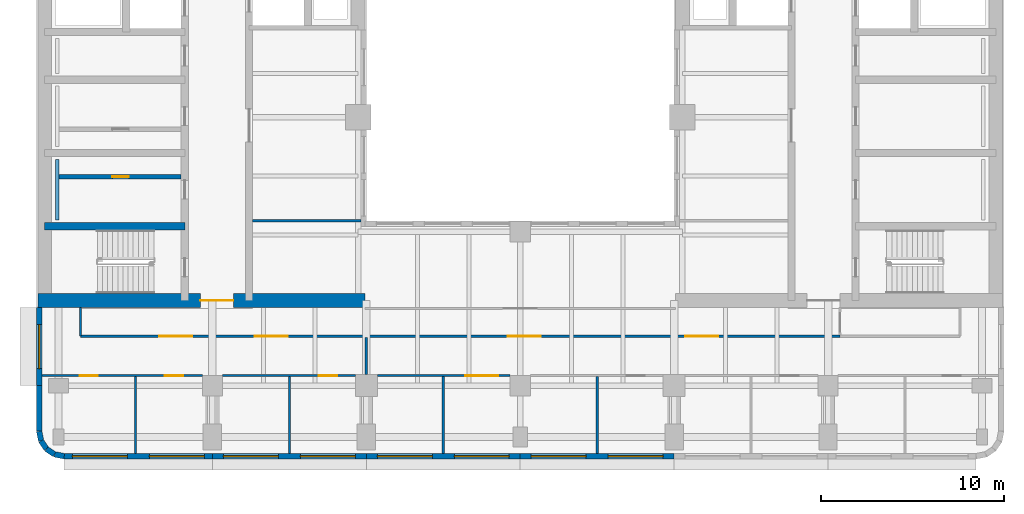
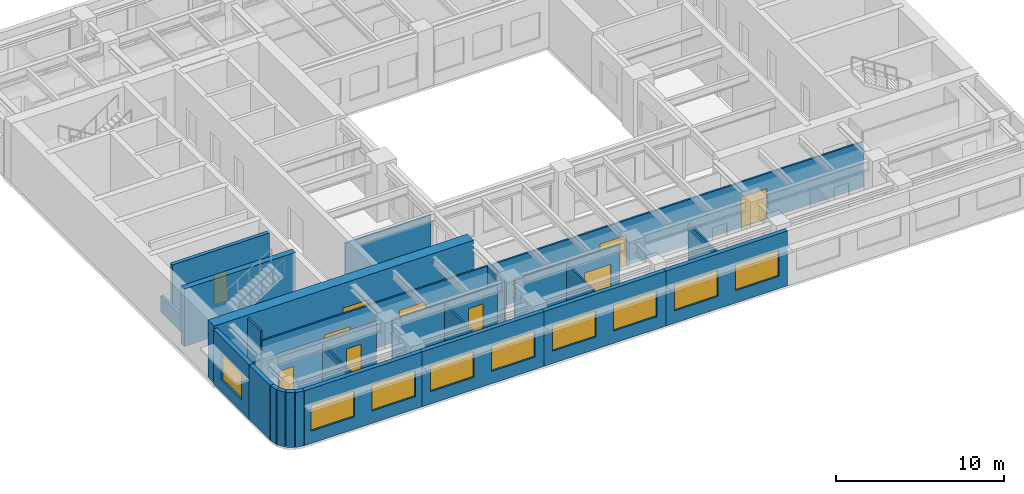
# One storey, part 3 of 11: 25 walls, 10 doors, 9 windows, 19 openings.
"""IFC4 building model written with IfcOpenShell, lengths in metres."""

from ifc_helpers import new_model, si_unit, direction, frame, frame_2d, origin, place, context, subcontext, project, spatial, rectangle, extrude, material, layer, layer_set, type_object, element, fill, save


model = new_model("IFC4")

# Units and contexts
model_context = context("Model", 3, precision=1e-05, world=origin(), true_north=direction((0.0, 1.0)))
body_context = subcontext(model_context, "Body", "Model", "MODEL_VIEW")
ifc_project = project(units=[si_unit("LENGTHUNIT", "METRE"), si_unit("AREAUNIT", "SQUARE_METRE"), si_unit("VOLUMEUNIT", "CUBIC_METRE"), si_unit("PLANEANGLEUNIT", "RADIAN"), si_unit("MASSUNIT", "GRAM", prefix="KILO")], contexts=[model_context])

# Site, building, storey
site_placement = place(None, origin())
site = spatial("IfcSite", under=ifc_project, at=site_placement, CompositionType="ELEMENT")
building_placement = place(site_placement, origin())
building = spatial("IfcBuilding", under=site, at=building_placement, Name="Claustro Exchange Tower", CompositionType="ELEMENT")
storey_placement = place(building_placement, frame((0.0, 0.0, 240.60009765625)))
storey = spatial("IfcBuildingStorey", under=building, at=storey_placement, Name="L55", CompositionType="ELEMENT", Elevation=240.60009765625)

# Wall
ifc_material_1 = material(Name="Laminated glass in aluminium frame", Category="aluminium")
ifc_layer_1 = layer(ifc_material_1, 0.1201171875)
ifc_layer_set_1 = layer_set([ifc_layer_1], Name="Laminated glass in aluminium frame")
wall_type_1 = type_object("IfcWallType", Name="P2 120 glazed partition", PredefinedType="PARTITIONING", material=ifc_layer_set_1)
wall_1_placement = place(storey_placement, frame((10.597900390625, 17.39990234375, 0.0), z_axis=(0.0, 0.0, 1.0), x_axis=(1.0, 0.0, 0.0)))
element("IfcWall", 1, at=wall_1_placement, inside=storey, type_object=wall_type_1, Name="Partition P2 L55", PredefinedType="PARTITIONING", context=body_context, shape_type="SweptSolid", body=[
    extrude(rectangle(XDim=5.904052734375, YDim=0.1201171875, at=frame_2d((2.9521484375, 0.0))), origin(), (0.0, 0.0, 1.0), 3.2998046875),
])

# Wall, openings, doors
wall_2_placement = place(storey_placement, frame((-0.902099609375, 8.949951171875, 0.0), z_axis=(0.0, 0.0, 1.0), x_axis=(1.0, 0.0, 0.0)))
wall_2 = element("IfcWall", 2, at=wall_2_placement, inside=storey, type_object=wall_type_1, Name="Partition P2 L55", PredefinedType="PARTITIONING", context=body_context, shape_type="SweptSolid", body=[
    extrude(rectangle(XDim=8.753173828125, YDim=0.1201171875, at=frame_2d((4.37646484375, 0.0))), origin(), (0.0, 0.0, 1.0), 3.619873046875),
])
opening_1_placement = place(wall_2_placement, frame((2.052001953125, 0.0, 0.0)))
opening_1 = element("IfcOpeningElement", 3, at=opening_1_placement, cuts=wall_2, Name="Opening D7", PredefinedType="OPENING", context=body_context, shape_type="SweptSolid", body=[
    extrude(rectangle(XDim=1.0, YDim=2.39990234375, at=frame_2d((0.5, 1.199951171875))), frame((0.0, 0.070068359375, 0.0), z_axis=(0.0, -1.0, 0.0), x_axis=(1.0, 0.0, 0.0)), (0.0, 0.0, 1.0), 0.14013671875),
])
opening_2_placement = place(wall_2_placement, frame((6.701904296875, 0.0, 0.0)))
opening_2 = element("IfcOpeningElement", 4, at=opening_2_placement, cuts=wall_2, Name="Opening D7", PredefinedType="OPENING", context=body_context, shape_type="SweptSolid", body=[
    extrude(rectangle(XDim=1.0, YDim=2.39990234375, at=frame_2d((0.5, 1.199951171875))), frame((0.0, 0.070068359375, 0.0), z_axis=(0.0, -1.0, 0.0), x_axis=(1.0, 0.0, 0.0)), (0.0, 0.0, 1.0), 0.14013671875),
])
ifc_material_2 = material(Name="Glass door in aluminium frame", Category="aluminium")
door_type_1 = type_object("IfcDoorType", Name="D7 1000 x 2400 glazed door", OperationType="SINGLE_SWING_LEFT", PredefinedType="DOOR", material=ifc_material_2)
door_1_placement = place(opening_1_placement, frame((1.0, 0.0, 0.0), z_axis=(0.0, 0.0, 1.0), x_axis=(-1.0, 0.0, 0.0)))
door_1 = element("IfcDoor", 5, at=door_1_placement, inside=storey, type_object=door_type_1, Name="Door D7 L55", OperationType="SINGLE_SWING_LEFT", OverallHeight=2.39990234375, OverallWidth=1.0, PredefinedType="DOOR", context=body_context, shape_type="SweptSolid", body=[
    extrude(rectangle(XDim=1.0, YDim=2.39990234375, at=frame_2d((0.5, 1.199951171875))), frame((0.0, 0.02490234375, 0.0), z_axis=(0.0, -1.0, 0.0), x_axis=(1.0, 0.0, 0.0)), (0.0, 0.0, 1.0), 0.050048828125),
])
fill(opening_1, door_1)
door_2_placement = place(opening_2_placement, frame((1.0, 0.0, 0.0), z_axis=(0.0, 0.0, 1.0), x_axis=(-1.0, 0.0, 0.0)))
door_2 = element("IfcDoor", 6, at=door_2_placement, inside=storey, type_object=door_type_1, Name="Door D7 L55", OperationType="SINGLE_SWING_RIGHT", OverallHeight=2.39990234375, OverallWidth=1.0, PredefinedType="DOOR", context=body_context, shape_type="SweptSolid", body=[
    extrude(rectangle(XDim=1.0, YDim=2.39990234375, at=frame_2d((0.5, 1.199951171875))), frame((0.0, 0.02490234375, 0.0), z_axis=(0.0, -1.0, 0.0), x_axis=(1.0, 0.0, 0.0)), (0.0, 0.0, 1.0), 0.050048828125),
])
fill(opening_2, door_2)

# Wall, opening, door
wall_3_placement = place(storey_placement, frame((8.948974609375, 8.949951171875, 0.0), z_axis=(0.0, 0.0, 1.0), x_axis=(1.0, 0.0, 0.0)))
wall_3 = element("IfcWall", 7, at=wall_3_placement, inside=storey, type_object=wall_type_1, Name="Partition P2 L55", PredefinedType="PARTITIONING", context=body_context, shape_type="SweptSolid", body=[
    extrude(rectangle(XDim=7.251953125, YDim=0.1201171875, at=frame_2d((3.6259765625, 0.0))), origin(), (0.0, 0.0, 1.0), 3.39990234375),
])
opening_3_placement = place(wall_3_placement, frame((5.2509765625, 0.0, 0.0)))
opening_3 = element("IfcOpeningElement", 8, at=opening_3_placement, cuts=wall_3, Name="Opening D7", PredefinedType="OPENING", context=body_context, shape_type="SweptSolid", body=[
    extrude(rectangle(XDim=1.0, YDim=2.39990234375, at=frame_2d((0.5, 1.199951171875))), frame((0.0, 0.070068359375, 0.0), z_axis=(0.0, -1.0, 0.0), x_axis=(1.0, 0.0, 0.0)), (0.0, 0.0, 1.0), 0.14013671875),
])
door_3_placement = place(opening_3_placement, frame((1.0, 0.0, 0.0), z_axis=(0.0, 0.0, 1.0), x_axis=(-1.0, 0.0, 0.0)))
door_3 = element("IfcDoor", 9, at=door_3_placement, inside=storey, type_object=door_type_1, Name="Door D7 L55", OperationType="SINGLE_SWING_RIGHT", OverallHeight=2.39990234375, OverallWidth=1.0, PredefinedType="DOOR", context=body_context, shape_type="SweptSolid", body=[
    extrude(rectangle(XDim=1.0, YDim=2.39990234375, at=frame_2d((0.5, 1.199951171875))), frame((0.0, 0.02490234375, 0.0), z_axis=(0.0, -1.0, 0.0), x_axis=(1.0, 0.0, 0.0)), (0.0, 0.0, 1.0), 0.050048828125),
])
fill(opening_3, door_3)

wall_4_placement = place(storey_placement, frame((17.39892578125, 8.949951171875, 0.0), z_axis=(0.0, 0.0, 1.0), x_axis=(1.0, 0.0, 0.0)))
wall_4 = element("IfcWall", 10, at=wall_4_placement, inside=storey, type_object=wall_type_1, Name="Partition P2 L55", PredefinedType="PARTITIONING", context=body_context, shape_type="SweptSolid", body=[
    extrude(rectangle(XDim=7.251953125, YDim=0.1201171875, at=frame_2d((3.6259765625, 0.0))), origin(), (0.0, 0.0, 1.0), 3.39990234375),
])
opening_4_placement = place(wall_4_placement, frame((4.801025390625, 0.0, 0.0)))
opening_4 = element("IfcOpeningElement", 11, at=opening_4_placement, cuts=wall_4, Name="Opening D2", PredefinedType="OPENING", context=body_context, shape_type="SweptSolid", body=[
    extrude(rectangle(XDim=1.800048828125, YDim=2.199951171875, at=frame_2d((0.89990234375, 1.10009765625))), frame((0.0, 0.070068359375, 0.0), z_axis=(0.0, -1.0, 0.0), x_axis=(1.0, 0.0, 0.0)), (0.0, 0.0, 1.0), 0.14013671875),
])
ifc_material_3 = material(Name="Timber door, oak veneer", Category="wood")
door_type_2 = type_object("IfcDoorType", Name="D2 1800 x 2200 double door", OperationType="DOUBLE_DOOR_SINGLE_SWING", PredefinedType="DOOR", material=ifc_material_3)
door_4_placement = place(opening_4_placement, frame((1.800048828125, 0.0, 0.0), z_axis=(0.0, 0.0, 1.0), x_axis=(-1.0, 0.0, 0.0)))
door_4 = element("IfcDoor", 12, at=door_4_placement, inside=storey, type_object=door_type_2, Name="Double door D2 L55", OperationType="DOUBLE_DOOR_SINGLE_SWING", OverallHeight=2.199951171875, OverallWidth=1.800048828125, PredefinedType="DOOR", context=body_context, shape_type="SweptSolid", body=[
    extrude(rectangle(XDim=1.800048828125, YDim=2.199951171875, at=frame_2d((0.89990234375, 1.10009765625))), frame((0.0, 0.02490234375, 0.0), z_axis=(0.0, -1.0, 0.0), x_axis=(1.0, 0.0, 0.0)), (0.0, 0.0, 1.0), 0.050048828125),
])
fill(opening_4, door_4)

# Walls
for number, where, z_axis, x_axis, name in (
    (13, (4.199951171875, 4.699951171875, 0.0), (0.0, 0.0, 1.0), (0.0, 1.0, 0.0), "Partition P2 L55"),
    (14, (12.60009765625, 4.699951171875, 0.0), (0.0, 0.0, 1.0), (0.0, 1.0, 0.0), "Partition P2 L55"),
    (15, (21.0, 4.699951171875, 0.0), (0.0, 0.0, 1.0), (0.0, 1.0, 0.0), "Partition P2 L55"),
    (16, (29.39990234375, 4.699951171875, 0.0), (0.0, 0.0, 1.0), (0.0, 1.0, 0.0), "Partition P2 L55"),
):
    element("IfcWall", number, at=place(storey_placement, frame(where, z_axis=z_axis, x_axis=x_axis)), inside=storey, type_object=wall_type_1, Name=name, PredefinedType="PARTITIONING", context=body_context, shape_type="SweptSolid", body=[
        extrude(rectangle(XDim=4.192138671875, YDim=0.1201171875, at=frame_2d((2.09619140625, 0.0))), origin(), (0.0, 0.0, 1.0), 3.2998046875),
    ])
wall_5_placement = place(storey_placement, frame((16.800048828125, 8.9990234375, 0.0), z_axis=(0.0, 0.0, 1.0), x_axis=(0.0, 1.0, 0.0)))
element("IfcWall", 17, at=wall_5_placement, inside=storey, type_object=wall_type_1, Name="Partition P2 L55", PredefinedType="PARTITIONING", context=body_context, shape_type="SweptSolid", body=[
    extrude(rectangle(XDim=2.04296875, YDim=0.1201171875, at=frame_2d((1.021484375, 0.0))), origin(), (0.0, 0.0, 1.0), 3.54296875),
])

# Wall, openings, doors
wall_6_placement = place(storey_placement, frame((1.199951171875, 11.10009765625, 0.0), z_axis=(0.0, 0.0, 1.0), x_axis=(1.0, 0.0, 0.0)))
wall_6 = element("IfcWall", 18, at=wall_6_placement, inside=storey, type_object=wall_type_1, Name="Partition P2 L55", PredefinedType="PARTITIONING", context=body_context, shape_type="SweptSolid", body=[
    extrude(rectangle(XDim=41.4521484375, YDim=0.1201171875, at=frame_2d((20.72607421875, 0.0))), origin(), (0.0, 0.0, 1.0), 3.2998046875),
])
opening_5_placement = place(wall_6_placement, frame((4.300048828125, 0.0, 0.0)))
opening_5 = element("IfcOpeningElement", 19, at=opening_5_placement, cuts=wall_6, Name="Opening D2", PredefinedType="OPENING", context=body_context, shape_type="SweptSolid", body=[
    extrude(rectangle(XDim=1.800048828125, YDim=2.199951171875, at=frame_2d((0.89990234375, 1.10009765625))), frame((0.0, 0.070068359375, 0.0), z_axis=(0.0, -1.0, 0.0), x_axis=(1.0, 0.0, 0.0)), (0.0, 0.0, 1.0), 0.14013671875),
])
opening_6_placement = place(wall_6_placement, frame((9.5, 0.0, 0.0)))
opening_6 = element("IfcOpeningElement", 20, at=opening_6_placement, cuts=wall_6, Name="Opening D2", PredefinedType="OPENING", context=body_context, shape_type="SweptSolid", body=[
    extrude(rectangle(XDim=1.800048828125, YDim=2.199951171875, at=frame_2d((0.89990234375, 1.10009765625))), frame((0.0, 0.070068359375, 0.0), z_axis=(0.0, -1.0, 0.0), x_axis=(1.0, 0.0, 0.0)), (0.0, 0.0, 1.0), 0.14013671875),
])
opening_7_placement = place(wall_6_placement, frame((23.316650390625, 0.0, 0.0)))
opening_7 = element("IfcOpeningElement", 21, at=opening_7_placement, cuts=wall_6, Name="Opening D2", PredefinedType="OPENING", context=body_context, shape_type="SweptSolid", body=[
    extrude(rectangle(XDim=1.800048828125, YDim=2.199951171875, at=frame_2d((0.89990234375, 1.10009765625))), frame((0.0, 0.070068359375, 0.0), z_axis=(0.0, -1.0, 0.0), x_axis=(1.0, 0.0, 0.0)), (0.0, 0.0, 1.0), 0.14013671875),
])
opening_8_placement = place(wall_6_placement, frame((33.0, 0.0, 0.0)))
opening_8 = element("IfcOpeningElement", 22, at=opening_8_placement, cuts=wall_6, Name="Opening D2", PredefinedType="OPENING", context=body_context, shape_type="SweptSolid", body=[
    extrude(rectangle(XDim=1.800048828125, YDim=2.199951171875, at=frame_2d((0.89990234375, 1.10009765625))), frame((0.0, 0.070068359375, 0.0), z_axis=(0.0, -1.0, 0.0), x_axis=(1.0, 0.0, 0.0)), (0.0, 0.0, 1.0), 0.14013671875),
])
door_5_placement = place(opening_5_placement, frame((1.800048828125, 0.0, 0.0), z_axis=(0.0, 0.0, 1.0), x_axis=(-1.0, 0.0, 0.0)))
door_5 = element("IfcDoor", 23, at=door_5_placement, inside=storey, type_object=door_type_2, Name="Double door D2 L55", OperationType="DOUBLE_DOOR_SINGLE_SWING", OverallHeight=2.199951171875, OverallWidth=1.800048828125, PredefinedType="DOOR", context=body_context, shape_type="SweptSolid", body=[
    extrude(rectangle(XDim=1.800048828125, YDim=2.199951171875, at=frame_2d((0.89990234375, 1.10009765625))), frame((0.0, 0.02490234375, 0.0), z_axis=(0.0, -1.0, 0.0), x_axis=(1.0, 0.0, 0.0)), (0.0, 0.0, 1.0), 0.050048828125),
])
fill(opening_5, door_5)
door_6_placement = place(opening_6_placement, frame((1.800048828125, 0.0, 0.0), z_axis=(0.0, 0.0, 1.0), x_axis=(-1.0, 0.0, 0.0)))
door_6 = element("IfcDoor", 24, at=door_6_placement, inside=storey, type_object=door_type_2, Name="Double door D2 L55", OperationType="DOUBLE_DOOR_SINGLE_SWING", OverallHeight=2.199951171875, OverallWidth=1.800048828125, PredefinedType="DOOR", context=body_context, shape_type="SweptSolid", body=[
    extrude(rectangle(XDim=1.800048828125, YDim=2.199951171875, at=frame_2d((0.89990234375, 1.10009765625))), frame((0.0, 0.02490234375, 0.0), z_axis=(0.0, -1.0, 0.0), x_axis=(1.0, 0.0, 0.0)), (0.0, 0.0, 1.0), 0.050048828125),
])
fill(opening_6, door_6)
door_7_placement = place(opening_7_placement, frame((1.800048828125, 0.0, 0.0), z_axis=(0.0, 0.0, 1.0), x_axis=(-1.0, 0.0, 0.0)))
door_7 = element("IfcDoor", 25, at=door_7_placement, inside=storey, type_object=door_type_2, Name="Double door D2 L55", OperationType="DOUBLE_DOOR_SINGLE_SWING", OverallHeight=2.199951171875, OverallWidth=1.800048828125, PredefinedType="DOOR", context=body_context, shape_type="SweptSolid", body=[
    extrude(rectangle(XDim=1.800048828125, YDim=2.199951171875, at=frame_2d((0.89990234375, 1.10009765625))), frame((0.0, 0.02490234375, 0.0), z_axis=(0.0, -1.0, 0.0), x_axis=(1.0, 0.0, 0.0)), (0.0, 0.0, 1.0), 0.050048828125),
])
fill(opening_7, door_7)
door_8_placement = place(opening_8_placement, frame((1.800048828125, 0.0, 0.0), z_axis=(0.0, 0.0, 1.0), x_axis=(-1.0, 0.0, 0.0)))
door_8 = element("IfcDoor", 26, at=door_8_placement, inside=storey, type_object=door_type_2, Name="Double door D2 L55", OperationType="DOUBLE_DOOR_SINGLE_SWING", OverallHeight=2.199951171875, OverallWidth=1.800048828125, PredefinedType="DOOR", context=body_context, shape_type="SweptSolid", body=[
    extrude(rectangle(XDim=1.800048828125, YDim=2.199951171875, at=frame_2d((0.89990234375, 1.10009765625))), frame((0.0, 0.02490234375, 0.0), z_axis=(0.0, -1.0, 0.0), x_axis=(1.0, 0.0, 0.0)), (0.0, 0.0, 1.0), 0.050048828125),
])
fill(opening_8, door_8)

# Wall
wall_7_placement = place(storey_placement, frame((1.199951171875, 11.10009765625, 0.0), z_axis=(0.0, 0.0, 1.0), x_axis=(0.0, 1.0, 0.0)))
element("IfcWall", 27, at=wall_7_placement, inside=storey, type_object=wall_type_1, Name="Partition P2 L55", PredefinedType="PARTITIONING", context=body_context, shape_type="SweptSolid", body=[
    extrude(rectangle(XDim=1.575927734375, YDim=0.1201171875, at=frame_2d((0.7880859375, 0.0))), origin(), (0.0, 0.0, 1.0), 4.0),
])

# Wall, opening, door
ifc_material_4 = material(Name="Concrete blockwork, rendered", Category="masonry")
ifc_layer_2 = layer(ifc_material_4, 0.25)
ifc_layer_set_2 = layer_set([ifc_layer_2], Name="Concrete blockwork, rendered")
wall_type_2 = type_object("IfcWallType", Name="P4 250 blockwork wall", PredefinedType="PARTITIONING", material=ifc_layer_set_2)
wall_8_placement = place(storey_placement, frame((0.02490234375, 19.800048828125, 0.0), z_axis=(0.0, 0.0, 1.0), x_axis=(1.0, 0.0, 0.0)))
wall_8 = element("IfcWall", 28, at=wall_8_placement, inside=storey, type_object=wall_type_2, Name="Partition P4 L55", PredefinedType="PARTITIONING", context=body_context, shape_type="SweptSolid", body=[
    extrude(rectangle(XDim=6.675048828125, YDim=0.25, at=frame_2d((3.33740234375, 0.0))), origin(), (0.0, 0.0, 1.0), 4.0),
])
opening_9_placement = place(wall_8_placement, frame((2.91259765625, 0.0, 0.0)))
opening_9 = element("IfcOpeningElement", 29, at=opening_9_placement, cuts=wall_8, Name="Opening D5", PredefinedType="OPENING", context=body_context, shape_type="SweptSolid", body=[
    extrude(rectangle(XDim=0.89990234375, YDim=2.199951171875, at=frame_2d((0.449951171875, 1.10009765625))), frame((0.0, 0.135009765625, 0.0), z_axis=(0.0, -1.0, 0.0), x_axis=(1.0, 0.0, 0.0)), (0.0, 0.0, 1.0), 0.27001953125),
])
ifc_material_5 = material(Name="Steel door, painted", Category="steel")
door_type_3 = type_object("IfcDoorType", Name="D5 900 x 2200 store door", OperationType="SINGLE_SWING_LEFT", PredefinedType="DOOR", material=ifc_material_5)
door_9_placement = place(opening_9_placement, origin())
door_9 = element("IfcDoor", 30, at=door_9_placement, inside=storey, type_object=door_type_3, Name="Store door D5 L55", OperationType="SINGLE_SWING_RIGHT", OverallHeight=2.199951171875, OverallWidth=0.89990234375, PredefinedType="DOOR", context=body_context, shape_type="SweptSolid", body=[
    extrude(rectangle(XDim=0.89990234375, YDim=2.199951171875, at=frame_2d((0.449951171875, 1.10009765625))), frame((0.0, 0.02490234375, 0.0), z_axis=(0.0, -1.0, 0.0), x_axis=(1.0, 0.0, 0.0)), (0.0, 0.0, 1.0), 0.050048828125),
])
fill(opening_9, door_9)

# Wall, openings, windows
ifc_material_6 = material(Name="Concrete HA-40 (C40/50), precast, white cement, acid-etched", Category="concrete")
ifc_layer_3 = layer(ifc_material_6, 0.300048828125)
ifc_layer_set_3 = layer_set([ifc_layer_3], Name="Concrete HA-40 (C40/50), precast, white cement, acid-etched")
wall_type_3 = type_object("IfcWallType", Name="PC1 300 precast concrete pier panel", PredefinedType="SOLIDWALL", material=ifc_layer_set_3)
wall_9_placement = place(storey_placement, frame((33.60009765625, 4.550048828125, 0.0), z_axis=(0.0, 0.0, 1.0), x_axis=(-1.0, 0.0, 0.0)))
wall_9 = element("IfcWall", 31, at=wall_9_placement, inside=storey, type_object=wall_type_3, Name="Precast pier panel PC1 L55", PredefinedType="SOLIDWALL", context=body_context, shape_type="SweptSolid", body=[
    extrude(rectangle(XDim=8.400146484375, YDim=0.300048828125, at=frame_2d((4.2001953125, 0.0))), origin(), (0.0, 0.0, 1.0), 4.0),
])
opening_10_placement = place(wall_9_placement, frame((0.60009765625, 0.0, 0.89990234375)))
opening_10 = element("IfcOpeningElement", 32, at=opening_10_placement, cuts=wall_9, Name="Opening W1", PredefinedType="OPENING", context=body_context, shape_type="SweptSolid", body=[
    extrude(rectangle(XDim=3.0, YDim=1.89990234375, at=frame_2d((1.5, 0.949951171875))), frame((0.0, 0.159912109375, 0.0), z_axis=(0.0, -1.0, 0.0), x_axis=(1.0, 0.0, 0.0)), (0.0, 0.0, 1.0), 0.320068359375),
])
opening_11_placement = place(wall_9_placement, frame((4.800048828125, 0.0, 0.89990234375)))
opening_11 = element("IfcOpeningElement", 33, at=opening_11_placement, cuts=wall_9, Name="Opening W1", PredefinedType="OPENING", context=body_context, shape_type="SweptSolid", body=[
    extrude(rectangle(XDim=3.0, YDim=1.89990234375, at=frame_2d((1.5, 0.949951171875))), frame((0.0, 0.159912109375, 0.0), z_axis=(0.0, -1.0, 0.0), x_axis=(1.0, 0.0, 0.0)), (0.0, 0.0, 1.0), 0.320068359375),
])
ifc_material_7 = material(Name="Aluminium frame, clear double glazing", Category="aluminium")
window_type_1 = type_object("IfcWindowType", Name="W1 3000 x 1900 window", PartitioningType="SINGLE_PANEL", PredefinedType="WINDOW", material=ifc_material_7)
window_1_placement = place(opening_10_placement, origin())
window_1 = element("IfcWindow", 34, at=window_1_placement, inside=storey, type_object=window_type_1, Name="Window W1 L55", OverallHeight=1.89990234375, OverallWidth=3.0, PartitioningType="SINGLE_PANEL", PredefinedType="WINDOW", context=body_context, shape_type="SweptSolid", body=[
    extrude(rectangle(XDim=3.0, YDim=1.89990234375, at=frame_2d((1.5, 0.949951171875))), frame((0.0, 0.030029296875, 0.0), z_axis=(0.0, -1.0, 0.0), x_axis=(1.0, 0.0, 0.0)), (0.0, 0.0, 1.0), 0.06005859375),
])
fill(opening_10, window_1)
window_2_placement = place(opening_11_placement, origin())
window_2 = element("IfcWindow", 35, at=window_2_placement, inside=storey, type_object=window_type_1, Name="Window W1 L55", OverallHeight=1.89990234375, OverallWidth=3.0, PartitioningType="SINGLE_PANEL", PredefinedType="WINDOW", context=body_context, shape_type="SweptSolid", body=[
    extrude(rectangle(XDim=3.0, YDim=1.89990234375, at=frame_2d((1.5, 0.949951171875))), frame((0.0, 0.030029296875, 0.0), z_axis=(0.0, -1.0, 0.0), x_axis=(1.0, 0.0, 0.0)), (0.0, 0.0, 1.0), 0.06005859375),
])
fill(opening_11, window_2)

wall_10_placement = place(storey_placement, frame((25.199951171875, 4.550048828125, 0.0), z_axis=(0.0, 0.0, 1.0), x_axis=(-1.0, 0.0, 0.0)))
wall_10 = element("IfcWall", 36, at=wall_10_placement, inside=storey, type_object=wall_type_3, Name="Precast pier panel PC1 L55", PredefinedType="SOLIDWALL", context=body_context, shape_type="SweptSolid", body=[
    extrude(rectangle(XDim=8.39990234375, YDim=0.300048828125, at=frame_2d((4.199951171875, 0.0))), origin(), (0.0, 0.0, 1.0), 4.0),
])
opening_12_placement = place(wall_10_placement, frame((0.60009765625, 0.0, 0.89990234375)))
opening_12 = element("IfcOpeningElement", 37, at=opening_12_placement, cuts=wall_10, Name="Opening W1", PredefinedType="OPENING", context=body_context, shape_type="SweptSolid", body=[
    extrude(rectangle(XDim=3.0, YDim=1.89990234375, at=frame_2d((1.5, 0.949951171875))), frame((0.0, 0.159912109375, 0.0), z_axis=(0.0, -1.0, 0.0), x_axis=(1.0, 0.0, 0.0)), (0.0, 0.0, 1.0), 0.320068359375),
])
opening_13_placement = place(wall_10_placement, frame((4.800048828125, 0.0, 0.89990234375)))
opening_13 = element("IfcOpeningElement", 38, at=opening_13_placement, cuts=wall_10, Name="Opening W1", PredefinedType="OPENING", context=body_context, shape_type="SweptSolid", body=[
    extrude(rectangle(XDim=3.0, YDim=1.89990234375, at=frame_2d((1.5, 0.949951171875))), frame((0.0, 0.159912109375, 0.0), z_axis=(0.0, -1.0, 0.0), x_axis=(1.0, 0.0, 0.0)), (0.0, 0.0, 1.0), 0.320068359375),
])
window_3_placement = place(opening_12_placement, origin())
window_3 = element("IfcWindow", 39, at=window_3_placement, inside=storey, type_object=window_type_1, Name="Window W1 L55", OverallHeight=1.89990234375, OverallWidth=3.0, PartitioningType="SINGLE_PANEL", PredefinedType="WINDOW", context=body_context, shape_type="SweptSolid", body=[
    extrude(rectangle(XDim=3.0, YDim=1.89990234375, at=frame_2d((1.5, 0.949951171875))), frame((0.0, 0.030029296875, 0.0), z_axis=(0.0, -1.0, 0.0), x_axis=(1.0, 0.0, 0.0)), (0.0, 0.0, 1.0), 0.06005859375),
])
fill(opening_12, window_3)
window_4_placement = place(opening_13_placement, origin())
window_4 = element("IfcWindow", 40, at=window_4_placement, inside=storey, type_object=window_type_1, Name="Window W1 L55", OverallHeight=1.89990234375, OverallWidth=3.0, PartitioningType="SINGLE_PANEL", PredefinedType="WINDOW", context=body_context, shape_type="SweptSolid", body=[
    extrude(rectangle(XDim=3.0, YDim=1.89990234375, at=frame_2d((1.5, 0.949951171875))), frame((0.0, 0.030029296875, 0.0), z_axis=(0.0, -1.0, 0.0), x_axis=(1.0, 0.0, 0.0)), (0.0, 0.0, 1.0), 0.06005859375),
])
fill(opening_13, window_4)

wall_11_placement = place(storey_placement, frame((16.800048828125, 4.550048828125, 0.0), z_axis=(0.0, 0.0, 1.0), x_axis=(-1.0, 0.0, 0.0)))
wall_11 = element("IfcWall", 41, at=wall_11_placement, inside=storey, type_object=wall_type_3, Name="Precast pier panel PC1 L55", PredefinedType="SOLIDWALL", context=body_context, shape_type="SweptSolid", body=[
    extrude(rectangle(XDim=8.400146484375, YDim=0.300048828125, at=frame_2d((4.2001953125, 0.0))), origin(), (0.0, 0.0, 1.0), 4.0),
])
opening_14_placement = place(wall_11_placement, frame((0.60009765625, 0.0, 0.89990234375)))
opening_14 = element("IfcOpeningElement", 42, at=opening_14_placement, cuts=wall_11, Name="Opening W1", PredefinedType="OPENING", context=body_context, shape_type="SweptSolid", body=[
    extrude(rectangle(XDim=3.0, YDim=1.89990234375, at=frame_2d((1.5, 0.949951171875))), frame((0.0, 0.159912109375, 0.0), z_axis=(0.0, -1.0, 0.0), x_axis=(1.0, 0.0, 0.0)), (0.0, 0.0, 1.0), 0.320068359375),
])
opening_15_placement = place(wall_11_placement, frame((4.800048828125, 0.0, 0.89990234375)))
opening_15 = element("IfcOpeningElement", 43, at=opening_15_placement, cuts=wall_11, Name="Opening W1", PredefinedType="OPENING", context=body_context, shape_type="SweptSolid", body=[
    extrude(rectangle(XDim=3.0, YDim=1.89990234375, at=frame_2d((1.5, 0.949951171875))), frame((0.0, 0.159912109375, 0.0), z_axis=(0.0, -1.0, 0.0), x_axis=(1.0, 0.0, 0.0)), (0.0, 0.0, 1.0), 0.320068359375),
])
window_5_placement = place(opening_14_placement, origin())
window_5 = element("IfcWindow", 44, at=window_5_placement, inside=storey, type_object=window_type_1, Name="Window W1 L55", OverallHeight=1.89990234375, OverallWidth=3.0, PartitioningType="SINGLE_PANEL", PredefinedType="WINDOW", context=body_context, shape_type="SweptSolid", body=[
    extrude(rectangle(XDim=3.0, YDim=1.89990234375, at=frame_2d((1.5, 0.949951171875))), frame((0.0, 0.030029296875, 0.0), z_axis=(0.0, -1.0, 0.0), x_axis=(1.0, 0.0, 0.0)), (0.0, 0.0, 1.0), 0.06005859375),
])
fill(opening_14, window_5)
window_6_placement = place(opening_15_placement, origin())
window_6 = element("IfcWindow", 45, at=window_6_placement, inside=storey, type_object=window_type_1, Name="Window W1 L55", OverallHeight=1.89990234375, OverallWidth=3.0, PartitioningType="SINGLE_PANEL", PredefinedType="WINDOW", context=body_context, shape_type="SweptSolid", body=[
    extrude(rectangle(XDim=3.0, YDim=1.89990234375, at=frame_2d((1.5, 0.949951171875))), frame((0.0, 0.030029296875, 0.0), z_axis=(0.0, -1.0, 0.0), x_axis=(1.0, 0.0, 0.0)), (0.0, 0.0, 1.0), 0.06005859375),
])
fill(opening_15, window_6)

wall_12_placement = place(storey_placement, frame((8.39990234375, 4.550048828125, 0.0), z_axis=(0.0, 0.0, 1.0), x_axis=(-1.0, 0.0, 0.0)))
wall_12 = element("IfcWall", 46, at=wall_12_placement, inside=storey, type_object=wall_type_3, Name="Precast pier panel PC1 L55", PredefinedType="SOLIDWALL", context=body_context, shape_type="SweptSolid", body=[
    extrude(rectangle(XDim=8.085205078125, YDim=0.300048828125, at=frame_2d((4.04248046875, 0.0))), origin(), (0.0, 0.0, 1.0), 4.0),
])
opening_16_placement = place(wall_12_placement, frame((0.442626953125, 0.0, 0.89990234375)))
opening_16 = element("IfcOpeningElement", 47, at=opening_16_placement, cuts=wall_12, Name="Opening W1", PredefinedType="OPENING", context=body_context, shape_type="SweptSolid", body=[
    extrude(rectangle(XDim=3.0, YDim=1.89990234375, at=frame_2d((1.5, 0.949951171875))), frame((0.0, 0.159912109375, 0.0), z_axis=(0.0, -1.0, 0.0), x_axis=(1.0, 0.0, 0.0)), (0.0, 0.0, 1.0), 0.320068359375),
])
opening_17_placement = place(wall_12_placement, frame((4.642578125, 0.0, 0.89990234375)))
opening_17 = element("IfcOpeningElement", 48, at=opening_17_placement, cuts=wall_12, Name="Opening W1", PredefinedType="OPENING", context=body_context, shape_type="SweptSolid", body=[
    extrude(rectangle(XDim=3.0, YDim=1.89990234375, at=frame_2d((1.5, 0.949951171875))), frame((0.0, 0.159912109375, 0.0), z_axis=(0.0, -1.0, 0.0), x_axis=(1.0, 0.0, 0.0)), (0.0, 0.0, 1.0), 0.320068359375),
])
window_7_placement = place(opening_16_placement, origin())
window_7 = element("IfcWindow", 49, at=window_7_placement, inside=storey, type_object=window_type_1, Name="Window W1 L55", OverallHeight=1.89990234375, OverallWidth=3.0, PartitioningType="SINGLE_PANEL", PredefinedType="WINDOW", context=body_context, shape_type="SweptSolid", body=[
    extrude(rectangle(XDim=3.0, YDim=1.89990234375, at=frame_2d((1.5, 0.949951171875))), frame((0.0, 0.030029296875, 0.0), z_axis=(0.0, -1.0, 0.0), x_axis=(1.0, 0.0, 0.0)), (0.0, 0.0, 1.0), 0.06005859375),
])
fill(opening_16, window_7)
window_8_placement = place(opening_17_placement, origin())
window_8 = element("IfcWindow", 50, at=window_8_placement, inside=storey, type_object=window_type_1, Name="Window W1 L55", OverallHeight=1.89990234375, OverallWidth=3.0, PartitioningType="SINGLE_PANEL", PredefinedType="WINDOW", context=body_context, shape_type="SweptSolid", body=[
    extrude(rectangle(XDim=3.0, YDim=1.89990234375, at=frame_2d((1.5, 0.949951171875))), frame((0.0, 0.030029296875, 0.0), z_axis=(0.0, -1.0, 0.0), x_axis=(1.0, 0.0, 0.0)), (0.0, 0.0, 1.0), 0.06005859375),
])
fill(opening_17, window_8)

# Walls
wall_13_placement = place(storey_placement, frame((0.314697265625, 4.550048828125, 0.0), z_axis=(0.0, 0.0, 1.0), x_axis=(-0.980788534345, 0.195073962632, 0.0)))
element("IfcWall", 51, at=wall_13_placement, inside=storey, type_object=wall_type_3, Name="Precast pier panel PC1 L55", PredefinedType="SOLIDWALL", context=body_context, shape_type="SweptSolid", body=[
    extrude(rectangle(XDim=0.540771484375, YDim=0.300048828125, at=frame_2d((0.2705078125, 0.0))), origin(), (0.0, 0.0, 1.0), 4.0),
])
for number, where, z_axis, x_axis, name in (
    (52, (-0.215576171875, 4.655517578125, 0.0), (0.0, 0.0, 1.0), (-0.831478144188, 0.555557463938, 0.0), "Precast pier panel PC1 L55"),
    (53, (-0.652587890625, 4.947509765625, 0.0), (0.0, 0.0, 1.0), (-0.555557463938, 0.831478144188, 0.0), "Precast pier panel PC1 L55"),
):
    element("IfcWall", number, at=place(storey_placement, frame(where, z_axis=z_axis, x_axis=x_axis)), inside=storey, type_object=wall_type_3, Name=name, PredefinedType="SOLIDWALL", context=body_context, shape_type="SweptSolid", body=[
        extrude(rectangle(XDim=0.525634765625, YDim=0.300048828125, at=frame_2d((0.2626953125, 0.0))), origin(), (0.0, 0.0, 1.0), 4.0),
    ])
wall_14_placement = place(storey_placement, frame((-0.944580078125, 5.384521484375, 0.0), z_axis=(0.0, 0.0, 1.0), x_axis=(-0.195073962632, 0.980788534345, 0.0)))
element("IfcWall", 54, at=wall_14_placement, inside=storey, type_object=wall_type_3, Name="Precast pier panel PC1 L55", PredefinedType="SOLIDWALL", context=body_context, shape_type="SweptSolid", body=[
    extrude(rectangle(XDim=0.540771484375, YDim=0.300048828125, at=frame_2d((0.2705078125, 0.0))), origin(), (0.0, 0.0, 1.0), 4.0),
])
wall_15_placement = place(storey_placement, frame((-1.050048828125, 5.914794921875, 0.0), z_axis=(0.0, 0.0, 1.0), x_axis=(0.0, 1.0, 0.0)))
element("IfcWall", 55, at=wall_15_placement, inside=storey, type_object=wall_type_3, Name="Precast pier panel PC1 L55", PredefinedType="SOLIDWALL", context=body_context, shape_type="SweptSolid", body=[
    extrude(rectangle(XDim=2.485107421875, YDim=0.300048828125, at=frame_2d((1.24267578125, 0.0))), origin(), (0.0, 0.0, 1.0), 4.0),
])

# Wall, opening, window
wall_16_placement = place(storey_placement, frame((-1.050048828125, 8.39990234375, 0.0), z_axis=(0.0, 0.0, 1.0), x_axis=(0.0, 1.0, 0.0)))
wall_16 = element("IfcWall", 56, at=wall_16_placement, inside=storey, type_object=wall_type_3, Name="Precast pier panel PC1 L55", PredefinedType="SOLIDWALL", context=body_context, shape_type="SweptSolid", body=[
    extrude(rectangle(XDim=4.275146484375, YDim=0.300048828125, at=frame_2d((2.1376953125, 0.0))), origin(), (0.0, 0.0, 1.0), 4.0),
])
opening_18_placement = place(wall_16_placement, frame((0.9375, 0.0, 0.89990234375)))
opening_18 = element("IfcOpeningElement", 57, at=opening_18_placement, cuts=wall_16, Name="Opening W2", PredefinedType="OPENING", context=body_context, shape_type="SweptSolid", body=[
    extrude(rectangle(XDim=2.39990234375, YDim=1.89990234375, at=frame_2d((1.199951171875, 0.949951171875))), frame((0.0, 0.159912109375, 0.0), z_axis=(0.0, -1.0, 0.0), x_axis=(1.0, 0.0, 0.0)), (0.0, 0.0, 1.0), 0.320068359375),
])
ifc_material_8 = material(Name="Aluminium frame, clear double glazing", Category="aluminium")
window_type_2 = type_object("IfcWindowType", Name="W2 2400 x 1900 window", PartitioningType="SINGLE_PANEL", PredefinedType="WINDOW", material=ifc_material_8)
window_9_placement = place(opening_18_placement, origin())
window_9 = element("IfcWindow", 58, at=window_9_placement, inside=storey, type_object=window_type_2, Name="Window W2 L55", OverallHeight=1.89990234375, OverallWidth=2.39990234375, PartitioningType="SINGLE_PANEL", PredefinedType="WINDOW", context=body_context, shape_type="SweptSolid", body=[
    extrude(rectangle(XDim=2.39990234375, YDim=1.89990234375, at=frame_2d((1.199951171875, 0.949951171875))), frame((0.0, 0.030029296875, 0.0), z_axis=(0.0, -1.0, 0.0), x_axis=(1.0, 0.0, 0.0)), (0.0, 0.0, 1.0), 0.06005859375),
])
fill(opening_18, window_9)

# Wall
ifc_material_9 = material(Name="Gypsum board on steel studs, tiled", Category="steel")
ifc_layer_4 = layer(ifc_material_9, 0.199951171875)
ifc_layer_set_4 = layer_set([ifc_layer_4], Name="Gypsum board on steel studs, tiled")
wall_type_4 = type_object("IfcWallType", Name="PW1 200 WC duct wall", PredefinedType="PLUMBINGWALL", material=ifc_layer_set_4)
wall_17_placement = place(storey_placement, frame((-0.074951171875, 17.449951171875, 0.0), z_axis=(0.0, 0.0, 1.0), x_axis=(0.0, 1.0, 0.0)))
element("IfcWall", 59, at=wall_17_placement, inside=storey, type_object=wall_type_4, Name="WC duct wall PW1 L55", PredefinedType="PLUMBINGWALL", context=body_context, shape_type="SweptSolid", body=[
    extrude(rectangle(XDim=3.300048828125, YDim=0.199951171875, at=frame_2d((1.64990234375, 0.0))), origin(), (0.0, 0.0, 1.0), 1.199951171875),
])

# Wall, opening, door
ifc_material_10 = material(Name="Concrete HA-70 (C70/85)", Category="concrete")
ifc_layer_5 = layer(ifc_material_10, 0.75)
ifc_layer_set_5 = layer_set([ifc_layer_5], Name="Concrete HA-70 (C70/85)")
wall_type_5 = type_object("IfcWallType", Name="SW2 750 core shear wall", PredefinedType="SHEAR", material=ifc_layer_set_5)
wall_18_placement = place(storey_placement, frame((-1.125, 13.050048828125, 0.0), z_axis=(0.0, 0.0, 1.0), x_axis=(1.0, 0.0, 0.0)))
wall_18 = element("IfcWall", 60, at=wall_18_placement, inside=storey, type_object=wall_type_5, Name="Core wall SW2 W core S face L55", PredefinedType="SHEAR", context=body_context, shape_type="SweptSolid", body=[
    extrude(rectangle(XDim=17.85009765625, YDim=0.75, at=frame_2d((8.925048828125, 0.0))), origin(), (0.0, 0.0, 1.0), 4.199951171875),
])
opening_19_placement = place(wall_18_placement, frame((8.875, 0.0, 0.0)))
opening_19 = element("IfcOpeningElement", 61, at=opening_19_placement, cuts=wall_18, Name="Opening D3", PredefinedType="OPENING", context=body_context, shape_type="SweptSolid", body=[
    extrude(rectangle(XDim=1.800048828125, YDim=2.39990234375, at=frame_2d((0.89990234375, 1.199951171875))), frame((0.0, 0.385009765625, 0.0), z_axis=(0.0, -1.0, 0.0), x_axis=(1.0, 0.0, 0.0)), (0.0, 0.0, 1.0), 0.77001953125),
])
ifc_material_11 = material(Name="Steel fire door, painted", Category="steel")
door_type_4 = type_object("IfcDoorType", Name="D3 1800 x 2400 fire-rated lobby double door", OperationType="DOUBLE_DOOR_SINGLE_SWING", PredefinedType="DOOR", material=ifc_material_11)
door_10_placement = place(opening_19_placement, origin())
door_10 = element("IfcDoor", 62, at=door_10_placement, inside=storey, type_object=door_type_4, Name="Lift lobby door D3 L55", OperationType="DOUBLE_DOOR_SINGLE_SWING", OverallHeight=2.39990234375, OverallWidth=1.800048828125, PredefinedType="DOOR", context=body_context, shape_type="SweptSolid", body=[
    extrude(rectangle(XDim=1.800048828125, YDim=2.39990234375, at=frame_2d((0.89990234375, 1.199951171875))), frame((0.0, 0.02490234375, 0.0), z_axis=(0.0, -1.0, 0.0), x_axis=(1.0, 0.0, 0.0)), (0.0, 0.0, 1.0), 0.050048828125),
])
fill(opening_19, door_10)

# Wall
ifc_material_12 = material(Name="Concrete HA-50 (C50/60)", Category="concrete")
ifc_layer_6 = layer(ifc_material_12, 0.39990234375)
ifc_layer_set_6 = layer_set([ifc_layer_6], Name="Concrete HA-50 (C50/60)")
wall_type_6 = type_object("IfcWallType", Name="SW4 400 internal core wall", PredefinedType="SHEAR", material=ifc_layer_set_6)
wall_19_placement = place(storey_placement, frame((-0.75, 17.10009765625, 0.0), z_axis=(0.0, 0.0, 1.0), x_axis=(1.0, 0.0, 0.0)))
element("IfcWall", 63, at=wall_19_placement, inside=storey, type_object=wall_type_6, Name="Internal core wall SW4 W core L55", PredefinedType="SHEAR", context=body_context, shape_type="SweptSolid", body=[
    extrude(rectangle(XDim=7.64990234375, YDim=0.39990234375, at=frame_2d((3.824951171875, 0.0))), origin(), (0.0, 0.0, 1.0), 4.199951171875),
])

save(model, "model.ifc")
